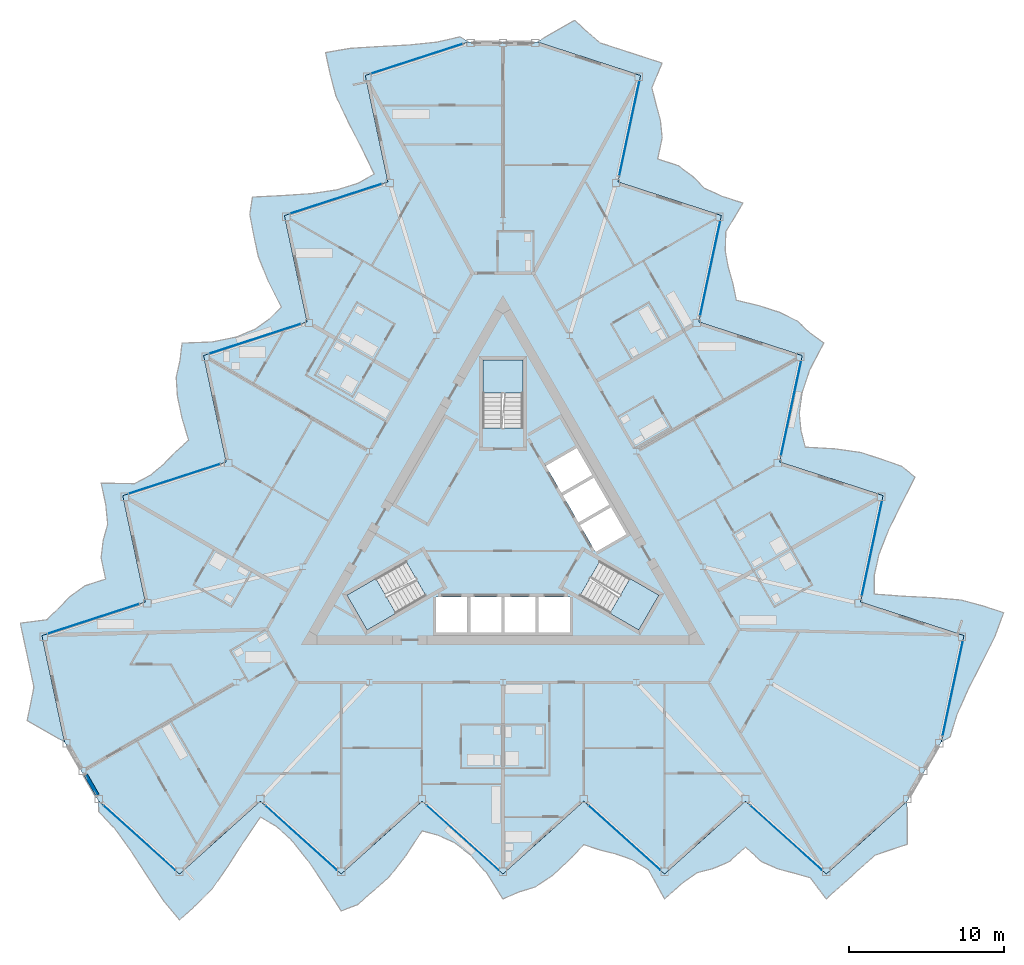
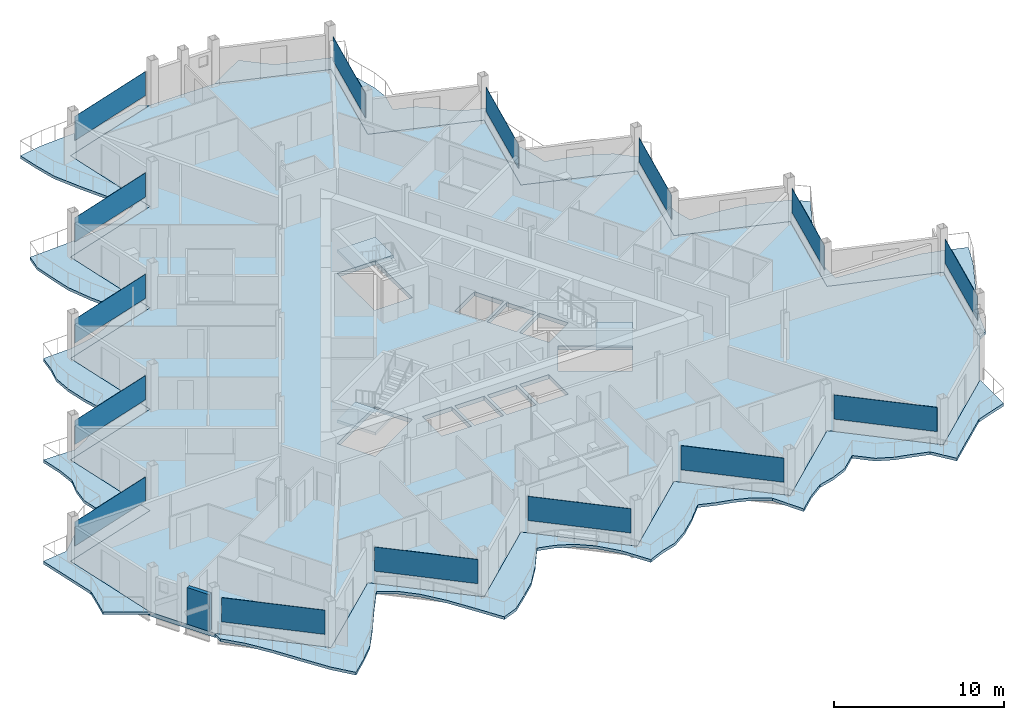
# One storey, part 11 of 26: 15 plates, 7 slabs, 1 wall, 18 elements without a shape of their own.
"""IFC4 building model written with IfcOpenShell, lengths in metres."""

from ifc_helpers import new_model, si_unit, direction, frame, frame_2d, origin, origin_2d, place, context, subcontext, project, spatial, polyline, rectangle, outline, extrude, material, layer, layer_set, type_object, element, aggregate, save


model = new_model("IFC4")

# Units and contexts
model_context = context("Model", 3, precision=1e-05, world=origin(), true_north=direction((0.0, 1.0)))
body_context = subcontext(model_context, "Body", "Model", "MODEL_VIEW")
ifc_project = project(units=[si_unit("LENGTHUNIT", "METRE"), si_unit("AREAUNIT", "SQUARE_METRE"), si_unit("VOLUMEUNIT", "CUBIC_METRE"), si_unit("PLANEANGLEUNIT", "RADIAN"), si_unit("MASSUNIT", "GRAM", prefix="KILO")], contexts=[model_context])

# Site, building, storey
site_placement = place(None, origin())
site = spatial("IfcSite", under=ifc_project, at=site_placement, CompositionType="ELEMENT")
building_placement = place(site_placement, origin())
building = spatial("IfcBuilding", under=site, at=building_placement, Name="Cormorant Prow Tower", CompositionType="ELEMENT")
storey_placement = place(building_placement, frame((0.0, 0.0, 401.800048828125)))
storey = spatial("IfcBuildingStorey", under=building, at=storey_placement, Name="L92", CompositionType="ELEMENT", Elevation=401.800048828125)

# Slabs
ifc_material_1 = material(Name="Concrete C40/50", Category="concrete")
ifc_layer_1 = layer(ifc_material_1, 0.199951171875)
ifc_layer_set_1 = layer_set([ifc_layer_1], Name="Concrete C40/50")
slab_type_1 = type_object("IfcSlabType", Name="Balcony slab 200", PredefinedType="FLOOR", material=ifc_layer_set_1)
slab_1_placement = place(storey_placement, frame((0.0, 0.0, -0.199951171875)))
element("IfcSlab", 1, at=slab_1_placement, inside=storey, type_object=slab_type_1, Name="Balcony slab S L92", PredefinedType="FLOOR", context=body_context, shape_type="SweptSolid", body=[
    extrude(outline(polyline([(-26.0, -17.548828125), (-26.0, -18.198974609375), (-24.9599609375, -19.3193359375), (-23.919921875, -20.753662109375), (-22.8798828125, -22.35546875), (-21.840087890625, -23.928466796875), (-20.800048828125, -25.180908203125), (-19.760009765625, -24.24462890625), (-18.719970703125, -23.2099609375), (-17.679931640625, -21.7099609375), (-16.639892578125, -20.095947265625), (-15.60009765625, -18.56689453125), (-14.56005859375, -19.170654296875), (-13.52001953125, -20.1318359375), (-12.47998046875, -21.443603515625), (-11.43994140625, -22.995361328125), (-10.39990234375, -24.605712890625), (-9.360107421875, -24.203369140625), (-8.320068359375, -23.30810546875), (-7.280029296875, -22.371826171875), (-6.239990234375, -21.042724609375), (-5.199951171875, -19.4541015625), (-4.159912109375, -19.737060546875), (-3.1201171875, -20.210693359375), (-2.080078125, -21.011474609375), (-1.0400390625, -22.179443359375), (0.0, -23.8310546875), (1.0400390625, -23.38330078125), (2.080078125, -23.064453125), (3.1201171875, -22.371826171875), (4.159912109375, -21.435302734375), (5.199951171875, -20.33837890625), (6.239990234375, -20.68505859375), (7.280029296875, -20.943603515625), (8.320068359375, -21.3134765625), (9.360107421875, -21.96142578125), (10.39990234375, -23.8310546875), (11.43994140625, -22.89453125), (12.47998046875, -22.150390625), (13.52001953125, -21.880126953125), (14.56005859375, -21.435302734375), (15.60009765625, -20.498779296875), (16.639892578125, -21.435302734375), (17.679931640625, -21.899169921875), (18.719970703125, -22.17138671875), (19.760009765625, -22.46923828125), (20.800048828125, -23.8310546875), (21.840087890625, -22.89453125), (22.8798828125, -21.958251953125), (23.919921875, -21.021728515625), (24.9599609375, -20.664306640625), (26.0, -20.3232421875), (26.0, -17.548828125), (24.9599609375, -18.4853515625), (23.919921875, -19.421630859375), (22.8798828125, -20.358154296875), (21.840087890625, -21.294677734375), (20.800048828125, -22.23095703125), (19.760009765625, -21.294677734375), (18.719970703125, -20.358154296875), (17.679931640625, -19.421630859375), (16.639892578125, -18.4853515625), (15.60009765625, -17.548828125), (14.56005859375, -18.4853515625), (13.52001953125, -19.421630859375), (12.47998046875, -20.358154296875), (11.43994140625, -21.294677734375), (10.39990234375, -22.23095703125), (9.360107421875, -21.294677734375), (8.320068359375, -20.358154296875), (7.280029296875, -19.421630859375), (6.239990234375, -18.4853515625), (5.199951171875, -17.548828125), (4.159912109375, -18.4853515625), (3.1201171875, -19.421630859375), (2.080078125, -20.358154296875), (1.0400390625, -21.294677734375), (0.0, -22.23095703125), (-1.0400390625, -21.294677734375), (-2.080078125, -20.358154296875), (-3.1201171875, -19.421630859375), (-4.159912109375, -18.4853515625), (-5.199951171875, -17.548828125), (-6.239990234375, -18.4853515625), (-7.280029296875, -19.421630859375), (-8.320068359375, -20.358154296875), (-9.360107421875, -21.294677734375), (-10.39990234375, -22.23095703125), (-11.43994140625, -21.294677734375), (-12.47998046875, -20.358154296875), (-13.52001953125, -19.421630859375), (-14.56005859375, -18.4853515625), (-15.60009765625, -17.548828125), (-16.639892578125, -18.4853515625), (-17.679931640625, -19.421630859375), (-18.719970703125, -20.358154296875), (-19.760009765625, -21.294677734375), (-20.800048828125, -22.23095703125), (-21.840087890625, -21.294677734375), (-22.8798828125, -20.358154296875), (-23.919921875, -19.421630859375), (-24.9599609375, -18.4853515625), (-26.0, -17.548828125)])), origin(), (0.0, 0.0, 1.0), 0.199951171875),
])
slab_2_placement = place(storey_placement, frame((0.0, 0.0, -0.199951171875)))
element("IfcSlab", 2, at=slab_2_placement, inside=storey, type_object=slab_type_1, Name="Balcony slab ENE L92", PredefinedType="FLOOR", context=body_context, shape_type="SweptSolid", body=[
    extrude(outline(polyline([(28.19775390625, -13.7421875), (28.7607421875, -13.417236328125), (29.211181640625, -11.956298828125), (29.933349609375, -10.33837890625), (30.80029296875, -8.636962890625), (31.642578125, -6.94970703125), (32.207275390625, -5.4228515625), (30.87646484375, -4.990478515625), (29.46044921875, -4.607177734375), (27.641357421875, -4.456298828125), (25.723388671875, -4.36279296875), (23.87939453125, -4.2265625), (23.882080078125, -3.024169921875), (24.19482421875, -1.642578125), (24.810791015625, -0.086181640625), (25.634521484375, 1.59033203125), (26.509033203125, 3.296142578125), (25.640625, 3.99560546875), (24.345458984375, 4.44873046875), (23.014404296875, 4.881103515625), (21.343505859375, 5.117431640625), (19.44775390625, 5.223876953125), (19.172607421875, 6.265869140625), (19.06298828125, 7.4033203125), (19.236572265625, 8.704345703125), (19.72802734375, 10.189208984375), (20.63818359375, 11.91552734375), (19.73046875, 12.59228515625), (18.934326171875, 13.33349609375), (17.814453125, 13.887939453125), (16.483642578125, 14.3203125), (15.013671875, 14.672607421875), (14.7939453125, 15.74658203125), (14.49755859375, 16.7763671875), (14.2978515625, 17.862060546875), (14.339111328125, 19.086669921875), (15.438232421875, 20.922119140625), (14.107177734375, 21.354736328125), (12.942626953125, 21.883056640625), (12.188720703125, 22.648681640625), (11.283447265625, 23.326904296875), (9.95263671875, 23.759521484375), (10.243408203125, 25.12841796875), (10.125244140625, 26.260986328125), (9.841064453125, 27.2978515625), (9.5791015625, 28.347412109375), (10.23828125, 29.9287109375), (8.9072265625, 30.361328125), (7.576416015625, 30.793701171875), (6.245361328125, 31.22607421875), (5.416015625, 31.9482421875), (4.6005859375, 32.67822265625), (2.19775390625, 31.291015625), (3.52880859375, 30.858642578125), (4.859619140625, 30.42626953125), (6.190673828125, 29.99365234375), (7.521728515625, 29.561279296875), (8.8525390625, 29.12890625), (8.5615234375, 27.760009765625), (8.270751953125, 26.39111328125), (7.979736328125, 25.022216796875), (7.688720703125, 23.6533203125), (7.397705078125, 22.284423828125), (8.728759765625, 21.85205078125), (10.059814453125, 21.41943359375), (11.390625, 20.987060546875), (12.7216796875, 20.5546875), (14.052490234375, 20.1220703125), (13.76171875, 18.753173828125), (13.470703125, 17.384521484375), (13.1796875, 16.015625), (12.888671875, 14.646728515625), (12.597900390625, 13.27783203125), (13.9287109375, 12.84521484375), (15.259765625, 12.412841796875), (16.590576171875, 11.98046875), (17.921630859375, 11.5478515625), (19.252685546875, 11.115478515625), (18.961669921875, 9.74658203125), (18.670654296875, 8.377685546875), (18.379638671875, 7.0087890625), (18.0888671875, 5.639892578125), (17.7978515625, 4.27099609375), (19.128662109375, 3.838623046875), (20.459716796875, 3.40625), (21.790771484375, 2.9736328125), (23.12158203125, 2.541259765625), (24.45263671875, 2.10888671875), (24.16162109375, 0.739990234375), (23.87060546875, -0.62890625), (23.579833984375, -1.997802734375), (23.288818359375, -3.36669921875), (22.997802734375, -4.735595703125), (24.328857421875, -5.16796875), (25.65966796875, -5.600341796875), (26.99072265625, -6.032958984375), (28.321533203125, -6.46533203125), (29.652587890625, -6.89794921875), (29.361572265625, -8.2666015625), (29.070556640625, -9.635498046875), (28.77978515625, -11.00439453125), (28.48876953125, -12.373291015625), (28.19775390625, -13.7421875)])), origin(), (0.0, 0.0, 1.0), 0.199951171875),
])
slab_3_placement = place(storey_placement, frame((0.0, 0.0, -0.199951171875)))
element("IfcSlab", 3, at=slab_3_placement, inside=storey, type_object=slab_type_1, Name="Balcony slab WNW L92", PredefinedType="FLOOR", context=body_context, shape_type="SweptSolid", body=[
    extrude(outline(polyline([(-2.19775390625, 31.291015625), (-2.7607421875, 31.6162109375), (-4.2509765625, 31.275634765625), (-6.01318359375, 31.09228515625), (-7.92041015625, 30.992431640625), (-9.802734375, 30.878173828125), (-11.407470703125, 30.603759765625), (-11.116455078125, 29.23486328125), (-10.740234375, 27.81689453125), (-9.96142578125, 26.166259765625), (-9.08349609375, 24.45849609375), (-8.279296875, 22.79345703125), (-9.322265625, 22.194580078125), (-10.6748046875, 21.774658203125), (-12.330810546875, 21.52978515625), (-14.194580078125, 21.405029296875), (-16.109130859375, 21.3095703125), (-16.28076171875, 20.207763671875), (-16.025390625, 18.859375), (-15.734375, 17.490478515625), (-15.103515625, 15.92529296875), (-14.247802734375, 14.23046875), (-15.0126953125, 13.47119140625), (-15.94287109375, 12.807373046875), (-17.156494140625, 12.30712890625), (-18.68798828125, 11.990478515625), (-20.63818359375, 11.91552734375), (-20.7705078125, 10.791015625), (-21.014404296875, 9.73095703125), (-20.9345703125, 8.48388671875), (-20.6435546875, 7.114990234375), (-20.213623046875, 5.665771484375), (-21.033935546875, 4.9384765625), (-21.777587890625, 4.167236328125), (-22.617919921875, 3.451416015625), (-23.69921875, 2.874755859375), (-25.838134765625, 2.908935546875), (-25.54736328125, 1.5400390625), (-25.422607421875, 0.26708984375), (-25.708740234375, -0.7685546875), (-25.843505859375, -1.8916015625), (-25.552490234375, -3.260498046875), (-26.883544921875, -3.693115234375), (-27.80517578125, -4.36181640625), (-28.56103515625, -5.126220703125), (-29.339111328125, -5.8779296875), (-31.038330078125, -6.097900390625), (-30.747314453125, -7.466796875), (-30.456298828125, -8.835693359375), (-30.165283203125, -10.204345703125), (-30.3759765625, -11.28369140625), (-30.6005859375, -12.35498046875), (-28.19775390625, -13.7421875), (-28.48876953125, -12.373291015625), (-28.77978515625, -11.00439453125), (-29.070556640625, -9.635498046875), (-29.361572265625, -8.2666015625), (-29.652587890625, -6.89794921875), (-28.321533203125, -6.46533203125), (-26.99072265625, -6.032958984375), (-25.65966796875, -5.600341796875), (-24.328857421875, -5.16796875), (-22.997802734375, -4.735595703125), (-23.288818359375, -3.36669921875), (-23.579833984375, -1.997802734375), (-23.87060546875, -0.62890625), (-24.16162109375, 0.739990234375), (-24.45263671875, 2.10888671875), (-23.12158203125, 2.541259765625), (-21.790771484375, 2.9736328125), (-20.459716796875, 3.40625), (-19.128662109375, 3.838623046875), (-17.7978515625, 4.27099609375), (-18.0888671875, 5.639892578125), (-18.379638671875, 7.0087890625), (-18.670654296875, 8.377685546875), (-18.961669921875, 9.74658203125), (-19.252685546875, 11.115478515625), (-17.921630859375, 11.5478515625), (-16.590576171875, 11.98046875), (-15.259765625, 12.412841796875), (-13.9287109375, 12.84521484375), (-12.597900390625, 13.27783203125), (-12.888671875, 14.646728515625), (-13.1796875, 16.015625), (-13.470703125, 17.384521484375), (-13.76171875, 18.753173828125), (-14.052490234375, 20.1220703125), (-12.7216796875, 20.5546875), (-11.390625, 20.987060546875), (-10.059814453125, 21.41943359375), (-8.728759765625, 21.85205078125), (-7.397705078125, 22.284423828125), (-7.688720703125, 23.6533203125), (-7.979736328125, 25.022216796875), (-8.270751953125, 26.39111328125), (-8.5615234375, 27.760009765625), (-8.8525390625, 29.12890625), (-7.521728515625, 29.561279296875), (-6.190673828125, 29.99365234375), (-4.859619140625, 30.42626953125), (-3.52880859375, 30.858642578125), (-2.19775390625, 31.291015625)])), origin(), (0.0, 0.0, 1.0), 0.199951171875),
])
ifc_material_2 = material(Name="Concrete C40/50", Category="concrete")
ifc_layer_2 = layer(ifc_material_2, 0.300048828125)
ifc_layer_set_2 = layer_set([ifc_layer_2], Name="Concrete C40/50")
slab_type_2 = type_object("IfcSlabType", Name="Post-tensioned flat slab 300", PredefinedType="FLOOR", material=ifc_layer_set_2)
slab_4_placement = place(storey_placement, frame((0.0, 0.0, -0.300048828125)))
element("IfcSlab", 4, at=slab_4_placement, inside=storey, type_object=slab_type_2, Name="Floor slab L92", PredefinedType="FLOOR", context=body_context, shape_type="SweptSolid", body=[
    extrude(outline(polyline([(-7.397705078125, 22.284423828125), (-14.052490234375, 20.1220703125), (-12.597900390625, 13.27783203125), (-19.252685546875, 11.115478515625), (-17.7978515625, 4.27099609375), (-24.45263671875, 2.10888671875), (-22.997802734375, -4.735595703125), (-29.652587890625, -6.89794921875), (-28.19775390625, -13.7421875), (-27.098876953125, -15.6455078125), (-26.0, -17.548828125), (-20.800048828125, -22.23095703125), (-15.60009765625, -17.548828125), (-10.39990234375, -22.23095703125), (-5.199951171875, -17.548828125), (0.0, -22.23095703125), (5.199951171875, -17.548828125), (10.39990234375, -22.23095703125), (15.60009765625, -17.548828125), (20.800048828125, -22.23095703125), (26.0, -17.548828125), (27.098876953125, -15.6455078125), (28.19775390625, -13.7421875), (29.652587890625, -6.89794921875), (22.997802734375, -4.735595703125), (24.45263671875, 2.10888671875), (17.7978515625, 4.27099609375), (19.252685546875, 11.115478515625), (12.597900390625, 13.27783203125), (14.052490234375, 20.1220703125), (7.397705078125, 22.284423828125), (8.8525390625, 29.12890625), (2.19775390625, 31.291015625), (0.0, 31.291015625), (-2.19775390625, 31.291015625), (-8.8525390625, 29.12890625), (-7.397705078125, 22.284423828125)]), holes=[polyline([(-4.300048828125, -4.39990234375), (-2.300048828125, -4.39990234375), (-2.300048828125, -6.699951171875), (-4.300048828125, -6.699951171875), (-4.300048828125, -4.39990234375)]), polyline([(-0.10009765625, -4.39990234375), (-0.10009765625, -6.699951171875), (-2.10009765625, -6.699951171875), (-2.10009765625, -4.39990234375), (-0.10009765625, -4.39990234375)]), polyline([(2.10009765625, -6.699951171875), (0.10009765625, -6.699951171875), (0.10009765625, -4.39990234375), (2.10009765625, -4.39990234375), (2.10009765625, -6.699951171875)]), polyline([(2.300048828125, -6.699951171875), (2.300048828125, -4.39990234375), (4.300048828125, -4.39990234375), (4.300048828125, -6.699951171875), (2.300048828125, -6.699951171875)]), polyline([(5.96044921875, -1.52392578125), (4.96044921875, 0.2080078125), (6.952392578125, 1.358154296875), (7.952392578125, -0.373779296875), (5.96044921875, -1.52392578125)]), polyline([(3.860595703125, 2.11328125), (5.852294921875, 3.263427734375), (6.852294921875, 1.53125), (4.860595703125, 0.38134765625), (3.860595703125, 2.11328125)]), polyline([(4.75244140625, 5.168701171875), (5.75244140625, 3.4365234375), (3.760498046875, 2.28662109375), (2.760498046875, 4.018798828125), (4.75244140625, 5.168701171875)]), polyline([(-4.947509765625, -4.3505859375), (-8.738037109375, -6.5390625), (-10.031982421875, -4.2978515625), (-6.241455078125, -2.109375), (-4.947509765625, -4.3505859375)]), polyline([(10.031982421875, -4.2978515625), (8.738037109375, -6.5390625), (4.947509765625, -4.3505859375), (6.241455078125, -2.109375), (10.031982421875, -4.2978515625)]), polyline([(1.2939453125, 10.8369140625), (1.2939453125, 6.459716796875), (-1.2939453125, 6.459716796875), (-1.2939453125, 10.8369140625), (1.2939453125, 10.8369140625)])]), origin(), (0.0, 0.0, 1.0), 0.300048828125),
])

# Curtain wall, plate
ifc_material_3 = material(Name="Aluminium 6063-T6", Category="aluminium")
ifc_layer_3 = layer(ifc_material_3, 0.159912109375)
ifc_layer_set_3 = layer_set([ifc_layer_3], Name="Aluminium 6063-T6")
curtain_wall_type = type_object("IfcCurtainWallType", Name="Residential unitised curtain wall 160", PredefinedType="NOTDEFINED", material=ifc_layer_set_3)
curtain_wall_1_placement = place(storey_placement, origin())
curtain_wall_1 = element("IfcCurtainWall", 5, at=curtain_wall_1_placement, inside=storey, type_object=curtain_wall_type, Name="Residential curtain wall S00", PredefinedType="NOTDEFINED")
ifc_material_4 = material(Name="Clear glass", Category="glass")
ifc_layer_4 = layer(ifc_material_4, 0.02392578125)
ifc_layer_set_4 = layer_set([ifc_layer_4], Name="Clear glass")
plate_type = type_object("IfcPlateType", Name="Residential glass panel 24", PredefinedType="CURTAIN_PANEL", material=ifc_layer_set_4)
plate_1_placement = place(storey_placement, frame((-23.38134765625, -19.90673828125, 0.89990234375), z_axis=(0.0, 0.0, 1.0), x_axis=(0.743144827638, -0.669130603959, 0.0)))
plate_1 = element("IfcPlate", 6, at=plate_1_placement, type_object=plate_type, Name="Residential glass panel S00", PredefinedType="CURTAIN_PANEL", context=body_context, shape_type="SweptSolid", body=[
    extrude(rectangle(XDim=6.21533203125, YDim=0.02392578125, at=origin_2d()), origin(), (0.0, 0.0, 1.0), 1.73388671875),
])
aggregate(curtain_wall_1, [plate_1])

curtain_wall_2_placement = place(storey_placement, origin())
curtain_wall_2 = element("IfcCurtainWall", 7, at=curtain_wall_2_placement, inside=storey, type_object=curtain_wall_type, Name="Residential curtain wall S02", PredefinedType="NOTDEFINED")
plate_2_placement = place(storey_placement, frame((-12.9814453125, -19.90673828125, 0.89990234375), z_axis=(0.0, 0.0, 1.0), x_axis=(0.743144827638, -0.669130603959, 0.0)))
plate_2 = element("IfcPlate", 8, at=plate_2_placement, type_object=plate_type, Name="Residential glass panel S02", PredefinedType="CURTAIN_PANEL", context=body_context, shape_type="SweptSolid", body=[
    extrude(rectangle(XDim=6.21533203125, YDim=0.02392578125, at=origin_2d()), origin(), (0.0, 0.0, 1.0), 1.73388671875),
])
aggregate(curtain_wall_2, [plate_2])

curtain_wall_3_placement = place(storey_placement, origin())
curtain_wall_3 = element("IfcCurtainWall", 9, at=curtain_wall_3_placement, inside=storey, type_object=curtain_wall_type, Name="Residential curtain wall S04", PredefinedType="NOTDEFINED")
plate_3_placement = place(storey_placement, frame((-2.58154296875, -19.90673828125, 0.89990234375), z_axis=(0.0, 0.0, 1.0), x_axis=(0.743144827638, -0.669130603959, 0.0)))
plate_3 = element("IfcPlate", 10, at=plate_3_placement, type_object=plate_type, Name="Residential glass panel S04", PredefinedType="CURTAIN_PANEL", context=body_context, shape_type="SweptSolid", body=[
    extrude(rectangle(XDim=6.21533203125, YDim=0.02392578125, at=origin_2d()), origin(), (0.0, 0.0, 1.0), 1.73388671875),
])
aggregate(curtain_wall_3, [plate_3])

curtain_wall_4_placement = place(storey_placement, origin())
curtain_wall_4 = element("IfcCurtainWall", 11, at=curtain_wall_4_placement, inside=storey, type_object=curtain_wall_type, Name="Residential curtain wall S06", PredefinedType="NOTDEFINED")
plate_4_placement = place(storey_placement, frame((7.818603515625, -19.90673828125, 0.89990234375), z_axis=(0.0, 0.0, 1.0), x_axis=(0.743144827638, -0.669130603959, 0.0)))
plate_4 = element("IfcPlate", 12, at=plate_4_placement, type_object=plate_type, Name="Residential glass panel S06", PredefinedType="CURTAIN_PANEL", context=body_context, shape_type="SweptSolid", body=[
    extrude(rectangle(XDim=6.21533203125, YDim=0.02392578125, at=origin_2d()), origin(), (0.0, 0.0, 1.0), 1.73388671875),
])
aggregate(curtain_wall_4, [plate_4])

curtain_wall_5_placement = place(storey_placement, origin())
curtain_wall_5 = element("IfcCurtainWall", 13, at=curtain_wall_5_placement, inside=storey, type_object=curtain_wall_type, Name="Residential curtain wall S08", PredefinedType="NOTDEFINED")
plate_5_placement = place(storey_placement, frame((18.218505859375, -19.90673828125, 0.89990234375), z_axis=(0.0, 0.0, 1.0), x_axis=(0.743144827638, -0.669130603959, 0.0)))
plate_5 = element("IfcPlate", 14, at=plate_5_placement, type_object=plate_type, Name="Residential glass panel S08", PredefinedType="CURTAIN_PANEL", context=body_context, shape_type="SweptSolid", body=[
    extrude(rectangle(XDim=6.21533203125, YDim=0.02392578125, at=origin_2d()), origin(), (0.0, 0.0, 1.0), 1.73388671875),
])
aggregate(curtain_wall_5, [plate_5])

curtain_wall_6_placement = place(storey_placement, origin())
curtain_wall_6 = element("IfcCurtainWall", 15, at=curtain_wall_6_placement, inside=storey, type_object=curtain_wall_type, Name="Residential curtain wall ENE00", PredefinedType="NOTDEFINED")
plate_6_placement = place(storey_placement, frame((28.930419921875, -10.295654296875, 0.89990234375), z_axis=(0.0, 0.0, 1.0), x_axis=(0.207911620089, 0.978147615768, 0.0)))
plate_6 = element("IfcPlate", 16, at=plate_6_placement, type_object=plate_type, Name="Residential glass panel ENE00", PredefinedType="CURTAIN_PANEL", context=body_context, shape_type="SweptSolid", body=[
    extrude(rectangle(XDim=6.21533203125, YDim=0.02392578125, at=origin_2d()), origin(), (0.0, 0.0, 1.0), 1.73388671875),
])
aggregate(curtain_wall_6, [plate_6])

curtain_wall_7_placement = place(storey_placement, origin())
curtain_wall_7 = element("IfcCurtainWall", 17, at=curtain_wall_7_placement, inside=storey, type_object=curtain_wall_type, Name="Residential curtain wall ENE02", PredefinedType="NOTDEFINED")
plate_7_placement = place(storey_placement, frame((23.73046875, -1.288818359375, 0.89990234375), z_axis=(0.0, 0.0, 1.0), x_axis=(0.207911649162, 0.978147609588, 0.0)))
plate_7 = element("IfcPlate", 18, at=plate_7_placement, type_object=plate_type, Name="Residential glass panel ENE02", PredefinedType="CURTAIN_PANEL", context=body_context, shape_type="SweptSolid", body=[
    extrude(rectangle(XDim=6.21533203125, YDim=0.02392578125, at=origin_2d()), origin(), (0.0, 0.0, 1.0), 1.73388671875),
])
aggregate(curtain_wall_7, [plate_7])

curtain_wall_8_placement = place(storey_placement, origin())
curtain_wall_8 = element("IfcCurtainWall", 19, at=curtain_wall_8_placement, inside=storey, type_object=curtain_wall_type, Name="Residential curtain wall ENE04", PredefinedType="NOTDEFINED")
plate_8_placement = place(storey_placement, frame((18.5302734375, 7.7177734375, 0.89990234375), z_axis=(0.0, 0.0, 1.0), x_axis=(0.207911649162, 0.978147609588, 0.0)))
plate_8 = element("IfcPlate", 20, at=plate_8_placement, type_object=plate_type, Name="Residential glass panel ENE04", PredefinedType="CURTAIN_PANEL", context=body_context, shape_type="SweptSolid", body=[
    extrude(rectangle(XDim=6.21533203125, YDim=0.02392578125, at=origin_2d()), origin(), (0.0, 0.0, 1.0), 1.73388671875),
])
aggregate(curtain_wall_8, [plate_8])

curtain_wall_9_placement = place(storey_placement, origin())
curtain_wall_9 = element("IfcCurtainWall", 21, at=curtain_wall_9_placement, inside=storey, type_object=curtain_wall_type, Name="Residential curtain wall ENE06", PredefinedType="NOTDEFINED")
plate_9_placement = place(storey_placement, frame((13.330322265625, 16.724365234375, 0.89990234375), z_axis=(0.0, 0.0, 1.0), x_axis=(0.207911620089, 0.978147615768, 0.0)))
plate_9 = element("IfcPlate", 22, at=plate_9_placement, type_object=plate_type, Name="Residential glass panel ENE06", PredefinedType="CURTAIN_PANEL", context=body_context, shape_type="SweptSolid", body=[
    extrude(rectangle(XDim=6.21533203125, YDim=0.02392578125, at=origin_2d()), origin(), (0.0, 0.0, 1.0), 1.73388671875),
])
aggregate(curtain_wall_9, [plate_9])

curtain_wall_10_placement = place(storey_placement, origin())
curtain_wall_10 = element("IfcCurtainWall", 23, at=curtain_wall_10_placement, inside=storey, type_object=curtain_wall_type, Name="Residential curtain wall ENE08", PredefinedType="NOTDEFINED")
plate_10_placement = place(storey_placement, frame((8.13037109375, 25.731201171875, 0.89990234375), z_axis=(0.0, 0.0, 1.0), x_axis=(0.207911620089, 0.978147615768, 0.0)))
plate_10 = element("IfcPlate", 24, at=plate_10_placement, type_object=plate_type, Name="Residential glass panel ENE08", PredefinedType="CURTAIN_PANEL", context=body_context, shape_type="SweptSolid", body=[
    extrude(rectangle(XDim=6.21533203125, YDim=0.02392578125, at=origin_2d()), origin(), (0.0, 0.0, 1.0), 1.73388671875),
])
aggregate(curtain_wall_10, [plate_10])

curtain_wall_11_placement = place(storey_placement, origin())
curtain_wall_11 = element("IfcCurtainWall", 25, at=curtain_wall_11_placement, inside=storey, type_object=curtain_wall_type, Name="Residential curtain wall WNW00", PredefinedType="NOTDEFINED")
plate_11_placement = place(storey_placement, frame((-5.549072265625, 30.2021484375, 0.89990234375), z_axis=(0.0, 0.0, 1.0), x_axis=(-0.951056534902, -0.309016937108, 0.0)))
plate_11 = element("IfcPlate", 26, at=plate_11_placement, type_object=plate_type, Name="Residential glass panel WNW00", PredefinedType="CURTAIN_PANEL", context=body_context, shape_type="SweptSolid", body=[
    extrude(rectangle(XDim=6.21533203125, YDim=0.02392578125, at=origin_2d()), origin(), (0.0, 0.0, 1.0), 1.73388671875),
])
aggregate(curtain_wall_11, [plate_11])

curtain_wall_12_placement = place(storey_placement, origin())
curtain_wall_12 = element("IfcCurtainWall", 27, at=curtain_wall_12_placement, inside=storey, type_object=curtain_wall_type, Name="Residential curtain wall WNW02", PredefinedType="NOTDEFINED")
plate_12_placement = place(storey_placement, frame((-10.7490234375, 21.195556640625, 0.89990234375), z_axis=(0.0, 0.0, 1.0), x_axis=(-0.951056534902, -0.309016937108, 0.0)))
plate_12 = element("IfcPlate", 28, at=plate_12_placement, type_object=plate_type, Name="Residential glass panel WNW02", PredefinedType="CURTAIN_PANEL", context=body_context, shape_type="SweptSolid", body=[
    extrude(rectangle(XDim=6.21533203125, YDim=0.02392578125, at=origin_2d()), origin(), (0.0, 0.0, 1.0), 1.73388671875),
])
aggregate(curtain_wall_12, [plate_12])

curtain_wall_13_placement = place(storey_placement, origin())
curtain_wall_13 = element("IfcCurtainWall", 29, at=curtain_wall_13_placement, inside=storey, type_object=curtain_wall_type, Name="Residential curtain wall WNW04", PredefinedType="NOTDEFINED")
plate_13_placement = place(storey_placement, frame((-15.948974609375, 12.18896484375, 0.89990234375), z_axis=(0.0, 0.0, 1.0), x_axis=(-0.951056492904, -0.309017066365, 0.0)))
plate_13 = element("IfcPlate", 30, at=plate_13_placement, type_object=plate_type, Name="Residential glass panel WNW04", PredefinedType="CURTAIN_PANEL", context=body_context, shape_type="SweptSolid", body=[
    extrude(rectangle(XDim=6.21533203125, YDim=0.02392578125, at=origin_2d()), origin(), (0.0, 0.0, 1.0), 1.73388671875),
])
aggregate(curtain_wall_13, [plate_13])

curtain_wall_14_placement = place(storey_placement, origin())
curtain_wall_14 = element("IfcCurtainWall", 31, at=curtain_wall_14_placement, inside=storey, type_object=curtain_wall_type, Name="Residential curtain wall WNW06", PredefinedType="NOTDEFINED")
plate_14_placement = place(storey_placement, frame((-21.14892578125, 3.18212890625, 0.89990234375), z_axis=(0.0, 0.0, 1.0), x_axis=(-0.951056492904, -0.309017066365, 0.0)))
plate_14 = element("IfcPlate", 32, at=plate_14_placement, type_object=plate_type, Name="Residential glass panel WNW06", PredefinedType="CURTAIN_PANEL", context=body_context, shape_type="SweptSolid", body=[
    extrude(rectangle(XDim=6.21533203125, YDim=0.02392578125, at=origin_2d()), origin(), (0.0, 0.0, 1.0), 1.73388671875),
])
aggregate(curtain_wall_14, [plate_14])

curtain_wall_15_placement = place(storey_placement, origin())
curtain_wall_15 = element("IfcCurtainWall", 33, at=curtain_wall_15_placement, inside=storey, type_object=curtain_wall_type, Name="Residential curtain wall WNW08", PredefinedType="NOTDEFINED")
plate_15_placement = place(storey_placement, frame((-26.348876953125, -5.824462890625, 0.89990234375), z_axis=(0.0, 0.0, 1.0), x_axis=(-0.951056492904, -0.309017066365, 0.0)))
plate_15 = element("IfcPlate", 34, at=plate_15_placement, type_object=plate_type, Name="Residential glass panel WNW08", PredefinedType="CURTAIN_PANEL", context=body_context, shape_type="SweptSolid", body=[
    extrude(rectangle(XDim=6.21533203125, YDim=0.02392578125, at=origin_2d()), origin(), (0.0, 0.0, 1.0), 1.73388671875),
])
aggregate(curtain_wall_15, [plate_15])

# Stair, slab
ifc_material_5 = material(Name="Exit stair 18 risers")
stair_type = type_object("IfcStairType", Name="Exit stair 18 risers", PredefinedType="HALF_TURN_STAIR", material=ifc_material_5)
stair_1_placement = place(storey_placement, origin())
stair_1 = element("IfcStair", 35, at=stair_1_placement, inside=storey, type_object=stair_type, Name="L92 Exit stair ST1", PredefinedType="HALF_TURN_STAIR")
ifc_material_6 = material(Name="Concrete 5000 psi", Category="concrete")
ifc_layer_5 = layer(ifc_material_6, 0.199951171875)
ifc_layer_set_5 = layer_set([ifc_layer_5], Name="Concrete 5000 psi")
slab_type_3 = type_object("IfcSlabType", Name="Stair landing 200", PredefinedType="LANDING", material=ifc_layer_set_5)
slab_5_placement = place(storey_placement, frame((0.0, 0.0, 1.5)))
slab_5 = element("IfcSlab", 36, at=slab_5_placement, type_object=slab_type_3, Name="ST1 landing 1", PredefinedType="LANDING", context=body_context, shape_type="SweptSolid", body=[
    extrude(outline(polyline([(-8.17431640625, -3.225341796875), (-10.031982421875, -4.2978515625), (-8.738037109375, -6.5390625), (-6.88037109375, -5.466552734375), (-8.17431640625, -3.225341796875)])), origin(), (0.0, 0.0, 1.0), 0.199951171875),
])
aggregate(stair_1, [slab_5])

stair_2_placement = place(storey_placement, origin())
stair_2 = element("IfcStair", 37, at=stair_2_placement, inside=storey, type_object=stair_type, Name="L92 Exit stair ST2", PredefinedType="HALF_TURN_STAIR")
slab_6_placement = place(storey_placement, frame((0.0, 0.0, 1.5)))
slab_6 = element("IfcSlab", 38, at=slab_6_placement, type_object=slab_type_3, Name="ST2 landing 1", PredefinedType="LANDING", context=body_context, shape_type="SweptSolid", body=[
    extrude(outline(polyline([(6.88037109375, -5.466552734375), (8.738037109375, -6.5390625), (10.031982421875, -4.2978515625), (8.17431640625, -3.225341796875), (6.88037109375, -5.466552734375)])), origin(), (0.0, 0.0, 1.0), 0.199951171875),
])
aggregate(stair_2, [slab_6])

stair_3_placement = place(storey_placement, origin())
stair_3 = element("IfcStair", 39, at=stair_3_placement, inside=storey, type_object=stair_type, Name="L92 Exit stair ST3", PredefinedType="HALF_TURN_STAIR")
slab_7_placement = place(storey_placement, frame((0.0, 0.0, 1.5)))
slab_7 = element("IfcSlab", 40, at=slab_7_placement, type_object=slab_type_3, Name="ST3 landing 1", PredefinedType="LANDING", context=body_context, shape_type="SweptSolid", body=[
    extrude(outline(polyline([(1.2939453125, 8.69189453125), (1.2939453125, 10.8369140625), (-1.2939453125, 10.8369140625), (-1.2939453125, 8.69189453125), (1.2939453125, 8.69189453125)])), origin(), (0.0, 0.0, 1.0), 0.199951171875),
])
aggregate(stair_3, [slab_7])

# Wall
ifc_material_7 = material(Name="Terracotta", Category="masonry")
ifc_layer_6 = layer(ifc_material_7, 0.25)
ifc_layer_set_6 = layer_set([ifc_layer_6], Name="Terracotta")
wall_type = type_object("IfcWallType", Name="Terracotta bay wall 250", PredefinedType="SOLIDWALL", material=ifc_layer_set_6)
wall_placement = place(storey_placement, frame((-26.830322265625, -15.86083984375, 0.0), z_axis=(0.0, 0.0, 1.0), x_axis=(0.500048779063, -0.865997239347, 0.0)))
element("IfcWall", 41, at=wall_placement, inside=storey, type_object=wall_type, Name="Terracotta bay wall WSW01", PredefinedType="SOLIDWALL", context=body_context, shape_type="SweptSolid", body=[
    extrude(rectangle(XDim=1.510986328125, YDim=0.25, at=frame_2d((0.75537109375, 0.0))), origin(), (0.0, 0.0, 1.0), 2.6337890625),
])

save(model, "model.ifc")
